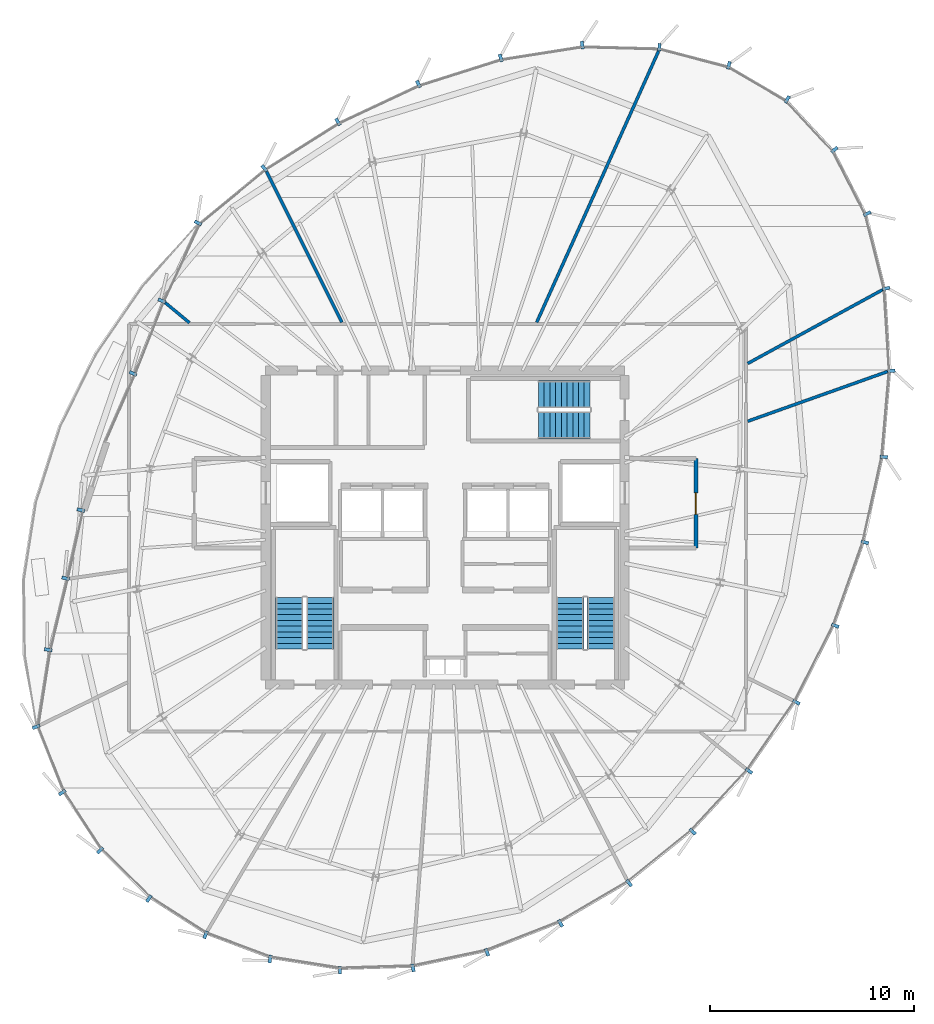
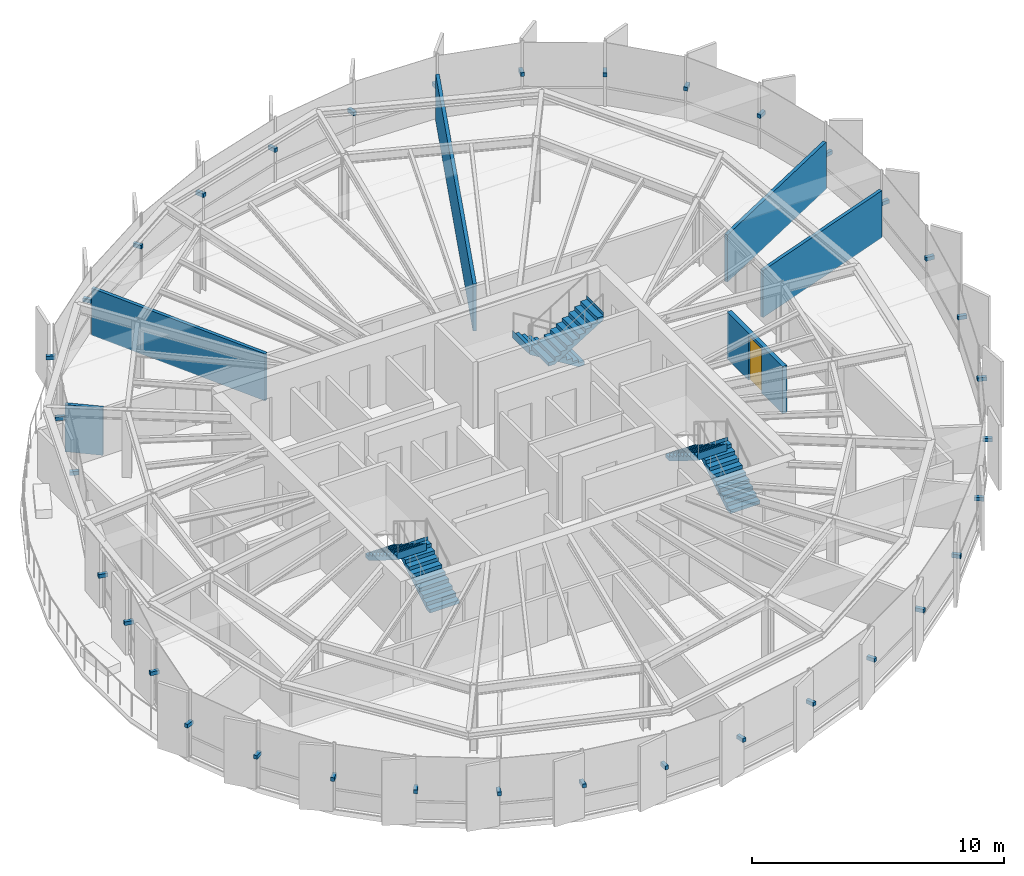
# One storey, part 31 of 36: 35 discrete accessories, 6 stair flights, 6 walls, 1 door, 1 opening, 3 elements without a shape of their own.
"""IFC4 building model written with IfcOpenShell, lengths in metres."""

from ifc_helpers import new_model, si_unit, direction, frame, frame_2d, origin, origin_2d, place, context, subcontext, project, spatial, polyline, rectangle, outline, extrude, source, transform, mapped, material, layer, layer_set, type_object, element, fill, aggregate, save


model = new_model("IFC4")

# Units and contexts
model_context = context("Model", 3, precision=1e-05, world=origin(), true_north=direction((0.0, 1.0)))
body_context = subcontext(model_context, "Body", "Model", "MODEL_VIEW")
ifc_project = project(units=[si_unit("LENGTHUNIT", "METRE"), si_unit("AREAUNIT", "SQUARE_METRE"), si_unit("VOLUMEUNIT", "CUBIC_METRE"), si_unit("PLANEANGLEUNIT", "RADIAN"), si_unit("MASSUNIT", "GRAM", prefix="KILO"), si_unit("THERMODYNAMICTEMPERATUREUNIT", "KELVIN")], contexts=[model_context])

# Site, building, storey
site_placement = place(None, origin())
site = spatial("IfcSite", under=ifc_project, at=site_placement, CompositionType="ELEMENT")
building_placement = place(site_placement, origin())
building = spatial("IfcBuilding", under=site, at=building_placement, Name="Kethvar Cultural Tower", CompositionType="ELEMENT")
storey_placement = place(building_placement, frame((0.0, 0.0, 242.199951171875)))
storey = spatial("IfcBuildingStorey", under=building, at=storey_placement, Name="L63", CompositionType="ELEMENT", Elevation=242.199951171875)

# Wall, opening, door
ifc_material_1 = material(Name="Concrete C40/50", Category="concrete")
ifc_layer_1 = layer(ifc_material_1, 0.199951171875, Name="Concrete C40/50", Category="concrete")
ifc_layer_set_1 = layer_set([ifc_layer_1], Name="Concrete C40/50 (200 mm)")
wall_type_1 = type_object("IfcWallType", Name="WL-FIRE-200", PredefinedType="PARTITIONING", material=ifc_layer_set_1)
wall_1_placement = place(storey_placement, frame((59.10009765625, 26.800048828125, 0.0), z_axis=(0.0, 0.0, 1.0), x_axis=(0.0, 1.0, 0.0)))
wall_1 = element("IfcWall", 1, at=wall_1_placement, inside=storey, type_object=wall_type_1, Name="L63 Firefighting Lobby 2 Wall", PredefinedType="PARTITIONING", context=body_context, shape_type="SweptSolid", body=[
    extrude(rectangle(XDim=4.39990234375, YDim=0.199951171875, at=frame_2d((2.199951171875, 0.0))), origin(), (0.0, 0.0, 1.0), 2.280029296875),
])
opening_placement = place(wall_1_placement, frame((1.64990234375, 0.0, 0.0)))
opening = element("IfcOpeningElement", 2, at=opening_placement, cuts=wall_1, Name="Opening D-L63-F2", PredefinedType="OPENING", context=body_context, shape_type="SweptSolid", body=[
    extrude(rectangle(XDim=1.050048828125, YDim=2.14990234375, at=frame_2d((0.52490234375, 1.074951171875))), frame((0.0, 0.10986328125, 0.0), z_axis=(0.0, -1.0, 0.0), x_axis=(1.0, 0.0, 0.0)), (0.0, 0.0, 1.0), 0.219970703125),
])
ifc_material_2 = material(Name="Steel S355J2", Category="steel")
door_type = type_object("IfcDoorType", Name="DR-FD60-1050", OperationType="NOTDEFINED", PredefinedType="DOOR", material=ifc_material_2)
shared_shape_1 = source(origin(), body_context, "Body", "SweptSolid", [
    extrude(rectangle(XDim=1.050048828125, YDim=2.14990234375, at=frame_2d((0.52490234375, 1.074951171875))), frame((0.0, 0.02490234375, 0.0), z_axis=(0.0, -1.0, 0.0), x_axis=(1.0, 0.0, 0.0)), (0.0, 0.0, 1.0), 0.050048828125),
])
door_placement = place(opening_placement, origin())
door = element("IfcDoor", 3, at=door_placement, inside=storey, type_object=door_type, Name="L63 Firefighting Lobby 2 Fire Door", OperationType="SINGLE_SWING_LEFT", OverallHeight=2.14990234375, OverallWidth=1.050048828125, PredefinedType="DOOR", context=body_context, shape_type="MappedRepresentation", body=[
    mapped(shared_shape_1, transform((0.0, 0.0, 0.0), scale=1.0)),
])
fill(opening, door)

# Walls
ifc_material_3 = material(Name="Gypsum Acoustic Partition")
ifc_layer_2 = layer(ifc_material_3, 0.14990234375, Name="Gypsum Acoustic Partition")
ifc_layer_set_2 = layer_set([ifc_layer_2], Name="Gypsum Acoustic Partition (150 mm)")
wall_type_2 = type_object("IfcWallType", Name="WL-PART-150", PredefinedType="PARTITIONING", material=ifc_layer_set_2)
wall_2_placement = place(storey_placement, frame((61.639404296875, 33.0166015625, 0.0), z_axis=(0.0, 0.0, 1.0), x_axis=(0.942197017818, 0.335059367299, 0.0)))
element("IfcWall", 4, at=wall_2_placement, inside=storey, type_object=wall_type_2, Name="L63 Radial Partition Wall 08", PredefinedType="PARTITIONING", context=body_context, shape_type="SweptSolid", body=[
    extrude(rectangle(XDim=7.268310546875, YDim=0.14990234375, at=frame_2d((3.63427734375, 0.0))), origin(), (0.0, 0.0, 1.0), 2.280029296875),
])
wall_3_placement = place(storey_placement, frame((61.63427734375, 35.846923828125, 0.0), z_axis=(0.0, 0.0, 1.0), x_axis=(0.877463915814, 0.479642654947, 0.0)))
element("IfcWall", 5, at=wall_3_placement, inside=storey, type_object=wall_type_2, Name="L63 Radial Partition Wall 09", PredefinedType="PARTITIONING", context=body_context, shape_type="SweptSolid", body=[
    extrude(rectangle(XDim=7.528076171875, YDim=0.14990234375, at=frame_2d((3.76416015625, 0.0))), origin(), (0.0, 0.0, 1.0), 2.280029296875),
])
wall_4_placement = place(storey_placement, frame((51.291259765625, 37.865966796875, 0.0), z_axis=(0.0, 0.0, 1.0), x_axis=(0.409799377138, 0.912175679624, 0.0)))
element("IfcWall", 6, at=wall_4_placement, inside=storey, type_object=wall_type_2, Name="L63 Radial Partition Wall 10", PredefinedType="PARTITIONING", context=body_context, shape_type="SweptSolid", body=[
    extrude(rectangle(XDim=14.58349609375, YDim=0.14990234375, at=frame_2d((7.291748046875, 0.0))), origin(), (0.0, 0.0, 1.0), 2.280029296875),
])
wall_5_placement = place(storey_placement, frame((41.737060546875, 37.864501953125, 0.0), z_axis=(0.0, 0.0, 1.0), x_axis=(-0.447048102033, 0.894509918597, 0.0)))
element("IfcWall", 7, at=wall_5_placement, inside=storey, type_object=wall_type_2, Name="L63 Radial Partition Wall 11", PredefinedType="PARTITIONING", context=body_context, shape_type="SweptSolid", body=[
    extrude(rectangle(XDim=8.26171875, YDim=0.14990234375, at=frame_2d((4.130859375, 0.0))), origin(), (0.0, 0.0, 1.0), 2.280029296875),
])
wall_6_placement = place(storey_placement, frame((34.26513671875, 37.843994140625, 0.0), z_axis=(0.0, 0.0, 1.0), x_axis=(-0.76952182836, 0.63862050991, 0.0)))
element("IfcWall", 8, at=wall_6_placement, inside=storey, type_object=wall_type_2, Name="L63 Radial Partition Wall 12", PredefinedType="PARTITIONING", context=body_context, shape_type="SweptSolid", body=[
    extrude(rectangle(XDim=1.536865234375, YDim=0.14990234375, at=frame_2d((0.7685546875, 0.0))), origin(), (0.0, 0.0, 1.0), 2.280029296875),
])

# Stair, stair flights
stair_type = type_object("IfcStairType", Name="ST-DOGLEG-135", PredefinedType="HALF_TURN_STAIR", material=ifc_material_1)
stair_1_placement = place(storey_placement, origin())
stair_1 = element("IfcStair", 9, at=stair_1_placement, inside=storey, type_object=stair_type, Name="L63 Core Exit Stair 1", PredefinedType="HALF_TURN_STAIR")
stair_flight_type = type_object("IfcStairFlightType", Name="FL-STRAIGHT-135", PredefinedType="STRAIGHT", material=ifc_material_1)
stair_flight_1_placement = place(storey_placement, frame((40.675048828125, 21.85009765625, 0.0), z_axis=(0.0, 0.0, 1.0), x_axis=(0.0, 1.0, 0.0)))
stair_flight_1 = element("IfcStairFlight", 10, at=stair_flight_1_placement, type_object=stair_flight_type, Name="ST-01 flight 1", NumberOfRisers=10, NumberOfTreads=9, PredefinedType="STRAIGHT", RiserHeight=0.1725, TreadLength=0.28, context=body_context, shape_type="SweptSolid", body=[
    extrude(outline(polyline([(-0.0009765625, -0.0009765625), (-0.0009765625, 0.172607421875), (0.280029296875, 0.172607421875), (0.280029296875, 0.344970703125), (0.56005859375, 0.344970703125), (0.56005859375, 0.517578125), (0.840087890625, 0.517578125), (0.840087890625, 0.68994140625), (1.1201171875, 0.68994140625), (1.1201171875, 0.862548828125), (1.39990234375, 0.862548828125), (1.39990234375, 1.034912109375), (1.679931640625, 1.034912109375), (1.679931640625, 1.20751953125), (1.9599609375, 1.20751953125), (1.9599609375, 1.3798828125), (2.239990234375, 1.3798828125), (2.239990234375, 1.552490234375), (2.52001953125, 1.552490234375), (2.52001953125, 1.72509765625), (2.52099609375, 1.72509765625), (2.52099609375, 1.37646484375), (0.285888671875, 0.0), (0.0, -0.0009765625), (-0.0009765625, -0.0009765625)])), frame((0.0, 0.675048828125, 0.0), z_axis=(0.0, -1.0, 0.0), x_axis=(1.0, 0.0, 0.0)), (0.0, 0.0, 1.0), 1.35009765625),
])
stair_flight_2_placement = place(storey_placement, frame((39.1650390625, 24.3701171875, 1.72509765625), z_axis=(0.0, 0.0, 1.0), x_axis=(0.0, -1.0, 0.0)))
stair_flight_2 = element("IfcStairFlight", 11, at=stair_flight_2_placement, type_object=stair_flight_type, Name="ST-01 flight 2", NumberOfRisers=10, NumberOfTreads=9, PredefinedType="STRAIGHT", RiserHeight=0.1725, TreadLength=0.28, context=body_context, shape_type="SweptSolid", body=[
    extrude(outline(polyline([(-0.0009765625, -0.0009765625), (-0.0009765625, 0.172607421875), (0.280029296875, 0.172607421875), (0.280029296875, 0.344970703125), (0.56005859375, 0.344970703125), (0.56005859375, 0.517578125), (0.840087890625, 0.517578125), (0.840087890625, 0.68994140625), (1.1201171875, 0.68994140625), (1.1201171875, 0.862548828125), (1.39990234375, 0.862548828125), (1.39990234375, 1.034912109375), (1.679931640625, 1.034912109375), (1.679931640625, 1.20751953125), (1.9599609375, 1.20751953125), (1.9599609375, 1.3798828125), (2.239990234375, 1.3798828125), (2.239990234375, 1.552490234375), (2.52001953125, 1.552490234375), (2.52001953125, 1.72509765625), (2.52099609375, 1.72509765625), (2.52099609375, 1.37646484375), (0.285888671875, 0.0), (0.0, -0.0009765625), (-0.0009765625, -0.0009765625)])), frame((0.0, 0.675048828125, 0.0), z_axis=(0.0, -1.0, 0.0), x_axis=(1.0, 0.0, 0.0)), (0.0, 0.0, 1.0), 1.35009765625),
])
aggregate(stair_1, [stair_flight_1, stair_flight_2])

stair_2_placement = place(storey_placement, origin())
stair_2 = element("IfcStair", 12, at=stair_2_placement, inside=storey, type_object=stair_type, Name="L63 Core Exit Stair 2", PredefinedType="HALF_TURN_STAIR")
stair_flight_3_placement = place(storey_placement, frame((54.43505859375, 21.85009765625, 0.0), z_axis=(0.0, 0.0, 1.0), x_axis=(0.0, 1.0, 0.0)))
stair_flight_3 = element("IfcStairFlight", 13, at=stair_flight_3_placement, type_object=stair_flight_type, Name="ST-02 flight 1", NumberOfRisers=10, NumberOfTreads=9, PredefinedType="STRAIGHT", RiserHeight=0.1725, TreadLength=0.28, context=body_context, shape_type="SweptSolid", body=[
    extrude(outline(polyline([(-0.0009765625, -0.0009765625), (-0.0009765625, 0.172607421875), (0.280029296875, 0.172607421875), (0.280029296875, 0.344970703125), (0.56005859375, 0.344970703125), (0.56005859375, 0.517578125), (0.840087890625, 0.517578125), (0.840087890625, 0.68994140625), (1.1201171875, 0.68994140625), (1.1201171875, 0.862548828125), (1.39990234375, 0.862548828125), (1.39990234375, 1.034912109375), (1.679931640625, 1.034912109375), (1.679931640625, 1.20751953125), (1.9599609375, 1.20751953125), (1.9599609375, 1.3798828125), (2.239990234375, 1.3798828125), (2.239990234375, 1.552490234375), (2.52001953125, 1.552490234375), (2.52001953125, 1.72509765625), (2.52099609375, 1.72509765625), (2.52099609375, 1.37646484375), (0.285888671875, 0.0), (0.0, -0.0009765625), (-0.0009765625, -0.0009765625)])), frame((0.0, 0.675048828125, 0.0), z_axis=(0.0, -1.0, 0.0), x_axis=(1.0, 0.0, 0.0)), (0.0, 0.0, 1.0), 1.35009765625),
])
stair_flight_4_placement = place(storey_placement, frame((52.925048828125, 24.3701171875, 1.72509765625), z_axis=(0.0, 0.0, 1.0), x_axis=(0.0, -1.0, 0.0)))
stair_flight_4 = element("IfcStairFlight", 14, at=stair_flight_4_placement, type_object=stair_flight_type, Name="ST-02 flight 2", NumberOfRisers=10, NumberOfTreads=9, PredefinedType="STRAIGHT", RiserHeight=0.1725, TreadLength=0.28, context=body_context, shape_type="SweptSolid", body=[
    extrude(outline(polyline([(-0.0009765625, -0.0009765625), (-0.0009765625, 0.172607421875), (0.280029296875, 0.172607421875), (0.280029296875, 0.344970703125), (0.56005859375, 0.344970703125), (0.56005859375, 0.517578125), (0.840087890625, 0.517578125), (0.840087890625, 0.68994140625), (1.1201171875, 0.68994140625), (1.1201171875, 0.862548828125), (1.39990234375, 0.862548828125), (1.39990234375, 1.034912109375), (1.679931640625, 1.034912109375), (1.679931640625, 1.20751953125), (1.9599609375, 1.20751953125), (1.9599609375, 1.3798828125), (2.239990234375, 1.3798828125), (2.239990234375, 1.552490234375), (2.52001953125, 1.552490234375), (2.52001953125, 1.72509765625), (2.52099609375, 1.72509765625), (2.52099609375, 1.37646484375), (0.285888671875, 0.0), (0.0, -0.0009765625), (-0.0009765625, -0.0009765625)])), frame((0.0, 0.675048828125, 0.0), z_axis=(0.0, -1.0, 0.0), x_axis=(1.0, 0.0, 0.0)), (0.0, 0.0, 1.0), 1.35009765625),
])
aggregate(stair_2, [stair_flight_3, stair_flight_4])

stair_3_placement = place(storey_placement, origin())
stair_3 = element("IfcStair", 15, at=stair_3_placement, inside=storey, type_object=stair_type, Name="L63 Core Exit Stair 3", PredefinedType="HALF_TURN_STAIR")
stair_flight_5_placement = place(storey_placement, frame((53.89990234375, 34.3349609375, 0.0), z_axis=(0.0, 0.0, 1.0), x_axis=(-1.0, 0.0, 0.0)))
stair_flight_5 = element("IfcStairFlight", 16, at=stair_flight_5_placement, type_object=stair_flight_type, Name="ST-03 flight 1", NumberOfRisers=10, NumberOfTreads=9, PredefinedType="STRAIGHT", RiserHeight=0.1725, TreadLength=0.28, context=body_context, shape_type="SweptSolid", body=[
    extrude(outline(polyline([(-0.0009765625, -0.0009765625), (-0.0009765625, 0.172607421875), (0.280029296875, 0.172607421875), (0.280029296875, 0.344970703125), (0.56005859375, 0.344970703125), (0.56005859375, 0.517578125), (0.840087890625, 0.517578125), (0.840087890625, 0.68994140625), (1.1201171875, 0.68994140625), (1.1201171875, 0.862548828125), (1.39990234375, 0.862548828125), (1.39990234375, 1.034912109375), (1.679931640625, 1.034912109375), (1.679931640625, 1.20751953125), (1.9599609375, 1.20751953125), (1.9599609375, 1.3798828125), (2.239990234375, 1.3798828125), (2.239990234375, 1.552490234375), (2.52001953125, 1.552490234375), (2.52001953125, 1.72509765625), (2.52099609375, 1.72509765625), (2.52099609375, 1.37646484375), (0.285888671875, 0.0), (0.0, -0.0009765625), (-0.0009765625, -0.0009765625)])), frame((0.0, 0.675048828125, 0.0), z_axis=(0.0, -1.0, 0.0), x_axis=(1.0, 0.0, 0.0)), (0.0, 0.0, 1.0), 1.35009765625),
])
stair_flight_6_placement = place(storey_placement, frame((51.3798828125, 32.824951171875, 1.72509765625), z_axis=(0.0, 0.0, 1.0), x_axis=(1.0, 0.0, 0.0)))
stair_flight_6 = element("IfcStairFlight", 17, at=stair_flight_6_placement, type_object=stair_flight_type, Name="ST-03 flight 2", NumberOfRisers=10, NumberOfTreads=9, PredefinedType="STRAIGHT", RiserHeight=0.1725, TreadLength=0.28, context=body_context, shape_type="SweptSolid", body=[
    extrude(outline(polyline([(-0.0009765625, -0.0009765625), (-0.0009765625, 0.172607421875), (0.280029296875, 0.172607421875), (0.280029296875, 0.344970703125), (0.56005859375, 0.344970703125), (0.56005859375, 0.517578125), (0.840087890625, 0.517578125), (0.840087890625, 0.68994140625), (1.1201171875, 0.68994140625), (1.1201171875, 0.862548828125), (1.39990234375, 0.862548828125), (1.39990234375, 1.034912109375), (1.679931640625, 1.034912109375), (1.679931640625, 1.20751953125), (1.9599609375, 1.20751953125), (1.9599609375, 1.3798828125), (2.239990234375, 1.3798828125), (2.239990234375, 1.552490234375), (2.52001953125, 1.552490234375), (2.52001953125, 1.72509765625), (2.52099609375, 1.72509765625), (2.52099609375, 1.37646484375), (0.285888671875, 0.0), (0.0, -0.0009765625), (-0.0009765625, -0.0009765625)])), frame((0.0, 0.675048828125, 0.0), z_axis=(0.0, -1.0, 0.0), x_axis=(1.0, 0.0, 0.0)), (0.0, 0.0, 1.0), 1.35009765625),
])
aggregate(stair_3, [stair_flight_5, stair_flight_6])

# Discrete accessories
discrete_accessory_type = type_object("IfcDiscreteAccessoryType", Name="Steel Fin Bracket BRK-01", PredefinedType="BRACKET", material=ifc_material_2)
shared_shape_2 = source(origin(), body_context, "Body", "SweptSolid", [
    extrude(rectangle(XDim=0.3798828125, YDim=0.159912109375, at=origin_2d()), origin(), (0.0, 0.0, 1.0), 0.179931640625),
])
for number, where, z_axis, x_axis, name in (
    (18, (63.5751953125, 48.7978515625, 1.51513671875), (0.0, 0.0, 1.0), (0.504678307081, 0.863307480775, 0.0), "L63 Terracotta Fin Bracket 1.1"),
    (19, (60.712646484375, 50.470703125, 1.51513671875), (0.0, 0.0, 1.0), (0.253082602519, 0.96744467351, 0.0), "L63 Terracotta Fin Bracket 1.2"),
    (20, (57.3076171875, 51.36083984375, 1.51513671875), (0.0, 0.0, 1.0), (0.027049303815, 0.99963410064, 0.0), "L63 Terracotta Fin Bracket 1.3"),
    (21, (53.526123046875, 51.463134765625, 1.51513671875), (0.0, 0.0, 1.0), (-0.155917291214, 0.987770114096, 0.0), "L63 Terracotta Fin Bracket 1.4"),
    (22, (49.529052734375, 50.832275390625, 1.51513671875), (0.0, 0.0, 1.0), (-0.30220352299, 0.953243426776, 0.0), "L63 Terracotta Fin Bracket 1.5"),
    (23, (45.48876953125, 49.551025390625, 1.51513671875), (0.0, 0.0, 1.0), (-0.424515500038, 0.905420670312, 0.0), "L63 Terracotta Fin Bracket 1.6"),
    (24, (41.543701171875, 47.696533203125, 1.51513671875), (0.0, 0.0, 1.0), (-0.533319268711, 0.84591403678, 0.0), "L63 Terracotta Fin Bracket 2.1"),
    (25, (37.93359375, 45.419921875, 1.51513671875), (0.0, 0.0, 1.0), (-0.636078220278, 0.771624583388, 0.0), "L63 Terracotta Fin Bracket 2.2"),
    (26, (34.68359375, 42.739990234375, 1.51513671875), (0.0, 0.0, 1.0), (-0.906970515865, 0.421194115999, 0.0), "L63 Terracotta Fin Bracket 2.3"),
    (27, (32.910888671875, 38.92333984375, 1.51513671875), (0.0, 0.0, 1.0), (-0.929647929536, 0.36844908347, 0.0), "L63 Terracotta Fin Bracket 2.4"),
    (28, (31.498291015625, 35.358642578125, 1.51513671875), (0.0, 0.0, 1.0), (-0.916152981696, 0.400828784059, 0.0), "L63 Terracotta Fin Bracket 2.5"),
    (29, (28.936767578125, 28.660888671875, 1.51513671875), (0.0, 0.0, 1.0), (-0.976220395964, 0.216780392341, 0.0), "L63 Terracotta Fin Bracket 3.1"),
    (30, (28.19384765625, 25.314697265625, 1.51513671875), (0.0, 0.0, 1.0), (-0.971672994977, 0.236329411694, 0.0), "L63 Terracotta Fin Bracket 3.2"),
    (31, (27.34130859375, 21.809326171875, 1.51513671875), (0.0, 0.0, 1.0), (-0.98774288635, 0.156089687246, 0.0), "L63 Terracotta Fin Bracket 3.3"),
    (32, (26.74560546875, 18.031982421875, 1.51513671875), (0.0, 0.0, 1.0), (-0.929326043111, -0.369260213935, 0.0), "L63 Terracotta Fin Bracket 3.4"),
    (33, (28.02685546875, 14.807861328125, 1.51513671875), (0.0, 0.0, 1.0), (-0.836764313459, -0.547563223493, 0.0), "L63 Terracotta Fin Bracket 3.5"),
    (34, (29.878662109375, 11.978515625, 1.51513671875), (0.0, 0.0, 1.0), (-0.704510355776, -0.709693707598, 0.0), "L63 Terracotta Fin Bracket 3.6"),
    (35, (32.274658203125, 9.61083984375, 1.51513671875), (0.0, 0.0, 1.0), (-0.538917812481, -0.842358350935, 0.0), "L63 Terracotta Fin Bracket 4.1"),
    (36, (35.052734375, 7.833740234375, 1.51513671875), (0.0, 0.0, 1.0), (-0.351841648405, -0.936059535739, 0.0), "L63 Terracotta Fin Bracket 4.2"),
    (37, (38.218017578125, 6.644287109375, 1.51513671875), (0.0, 0.0, 1.0), (-0.157641036938, -0.987496482765, 0.0), "L63 Terracotta Fin Bracket 4.3"),
    (38, (41.643798828125, 6.097900390625, 1.51513671875), (0.0, 0.0, 1.0), (0.031410759078, -0.999506560366, 0.0), "L63 Terracotta Fin Bracket 4.4"),
    (39, (45.22607421875, 6.210693359375, 1.51513671875), (0.0, 0.0, 1.0), (0.207228764358, -0.978292512096, 0.0), "L63 Terracotta Fin Bracket 4.5"),
    (40, (48.856201171875, 6.9794921875, 1.51513671875), (0.0, 0.0, 1.0), (0.365526694947, -0.930800856941, 0.0), "L63 Terracotta Fin Bracket 4.6"),
    (41, (52.45458984375, 8.398681640625, 1.51513671875), (0.0, 0.0, 1.0), (0.505732659231, -0.862690255763, 0.0), "L63 Terracotta Fin Bracket 5.1"),
    (42, (55.8203125, 10.3720703125, 1.51513671875), (0.0, 0.0, 1.0), (0.628098877137, -0.778133536444, 0.0), "L63 Terracotta Fin Bracket 5.2"),
    (43, (58.94287109375, 12.892822265625, 1.51513671875), (0.0, 0.0, 1.0), (0.733729864503, -0.679441304262, 0.0), "L63 Terracotta Fin Bracket 5.3"),
    (44, (61.696533203125, 15.866455078125, 1.51513671875), (0.0, 0.0, 1.0), (0.822739738254, -0.568418264219, 0.0), "L63 Terracotta Fin Bracket 5.4"),
    (45, (64.02587890625, 19.23779296875, 1.51513671875), (0.0, 0.0, 1.0), (0.891797529605, -0.452434709312, 0.0), "L63 Terracotta Fin Bracket 5.5"),
    (46, (65.930419921875, 22.991943359375, 1.51513671875), (0.0, 0.0, 1.0), (0.941823033858, -0.336109168121, 0.0), "L63 Terracotta Fin Bracket 5.6"),
    (47, (67.38427734375, 27.080322265625, 1.51513671875), (0.0, 0.0, 1.0), (0.976220395964, -0.216780392341, 0.0), "L63 Terracotta Fin Bracket 6.1"),
    (48, (68.3134765625, 31.2666015625, 1.51513671875), (0.0, 0.0, 1.0), (0.996209894465, -0.086981872646, 0.0), "L63 Terracotta Fin Bracket 6.2"),
    (49, (68.68212890625, 35.4892578125, 1.51513671875), (0.0, 0.0, 1.0), (0.997993714583, 0.063313076471, 0.0), "L63 Terracotta Fin Bracket 6.3"),
    (50, (68.42578125, 39.52783203125, 1.51513671875), (0.0, 0.0, 1.0), (0.969659051809, 0.244461291916, 0.0), "L63 Terracotta Fin Bracket 6.4"),
    (51, (67.50048828125, 43.1962890625, 1.51513671875), (0.0, 0.0, 1.0), (0.889017141486, 0.457873915117, 0.0), "L63 Terracotta Fin Bracket 6.5"),
    (52, (65.88818359375, 46.3251953125, 1.51513671875), (0.0, 0.0, 1.0), (0.732424079426, 0.680848711445, 0.0), "L63 Terracotta Fin Bracket 6.6"),
):
    element("IfcDiscreteAccessory", number, at=place(storey_placement, frame(where, z_axis=z_axis, x_axis=x_axis)), inside=storey, type_object=discrete_accessory_type, Name=name, PredefinedType="BRACKET", context=body_context, shape_type="MappedRepresentation", body=[
        mapped(shared_shape_2, transform((0.0, 0.0, 0.0), scale=1.0)),
    ])

save(model, "model.ifc")
